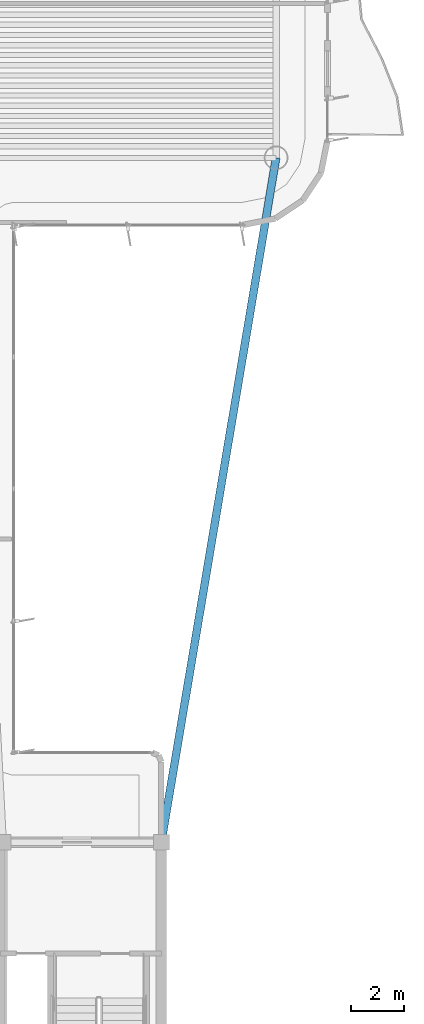
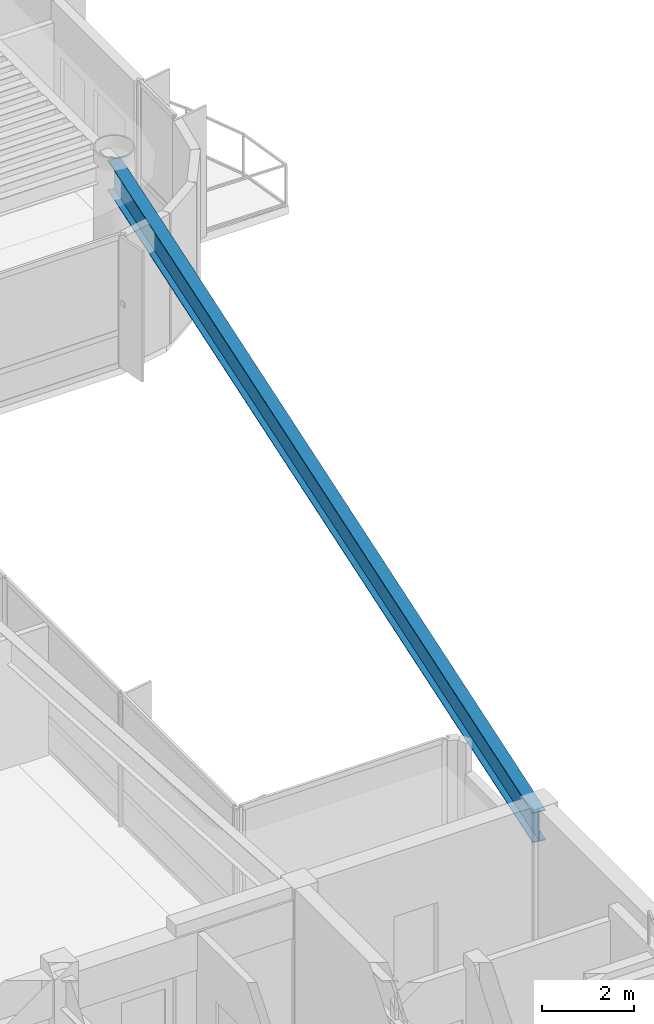
# One storey, part 5 of 17: 1 beam.
"""IFC4 building model written with IfcOpenShell, lengths in metres."""

from ifc_helpers import new_model, si_unit, direction, frame, origin, origin_2d, place, context, subcontext, project, spatial, i_section, extrude, source, transform, mapped, material, material_profile, profile_set, type_object, element, save


model = new_model("IFC4")

# Units and contexts
model_context = context("Model", 3, precision=1e-05, world=origin(), true_north=direction((0.0, 1.0)))
body_context = subcontext(model_context, "Body", "Model", "MODEL_VIEW")
ifc_project = project(units=[si_unit("LENGTHUNIT", "METRE"), si_unit("AREAUNIT", "SQUARE_METRE"), si_unit("VOLUMEUNIT", "CUBIC_METRE"), si_unit("PLANEANGLEUNIT", "RADIAN"), si_unit("MASSUNIT", "GRAM", prefix="KILO")], contexts=[model_context])

# Site, building, storey
site_placement = place(None, origin())
site = spatial("IfcSite", under=ifc_project, at=site_placement, CompositionType="ELEMENT")
building_placement = place(site_placement, origin())
building = spatial("IfcBuilding", under=site, at=building_placement, Name="Brelvock Crest Care Tower", CompositionType="ELEMENT")
storey_placement = place(building_placement, frame((0.0, 0.0, 287.280029296875)))
storey = spatial("IfcBuildingStorey", under=building, at=storey_placement, Name="L73", CompositionType="ELEMENT", Elevation=287.280029296875)

# Beam
ifc_material = material(Name="Steel Grade 350", Category="steel")
ifc_material_profile = material_profile(ifc_material, i_section(OverallWidth=0.300048828125, OverallDepth=0.800048828125, WebThickness=0.013916015625, FlangeThickness=0.02197265625, at=origin_2d()), Name="800WB192")
ifc_profile_set = profile_set([ifc_material_profile], Name="Steel Grade 350")
beam_type = type_object("IfcBeamType", Name="BM-G5", PredefinedType="BEAM", material=ifc_profile_set)
shared_shape = source(origin(), body_context, "Body", "SweptSolid", [
    extrude(i_section(OverallWidth=0.300048828125, OverallDepth=0.800048828125, WebThickness=0.013916015625, FlangeThickness=0.02197265625, at=origin_2d()), origin(), (0.0, 0.0, 1.0), 26.31201171875),
])
beam_placement = place(storey_placement, frame((48.0, 18.0, 3.06005859375), z_axis=(0.165327282709, 0.986238758918, 0.0), x_axis=(-0.986238758918, 0.165327282709, 0.0)))
element("IfcBeam", 1, at=beam_placement, inside=storey, type_object=beam_type, Name="BM-THRO-E-L73", PredefinedType="BEAM", context=body_context, shape_type="MappedRepresentation", body=[
    mapped(shared_shape, transform((0.0, 0.0, 0.0), x_axis=(1.0, 0.0, 0.0), y_axis=(0.0, 1.0, 0.0), z_axis=(0.0, 0.0, 1.0), scale=1.0)),
])

save(model, "model.ifc")
